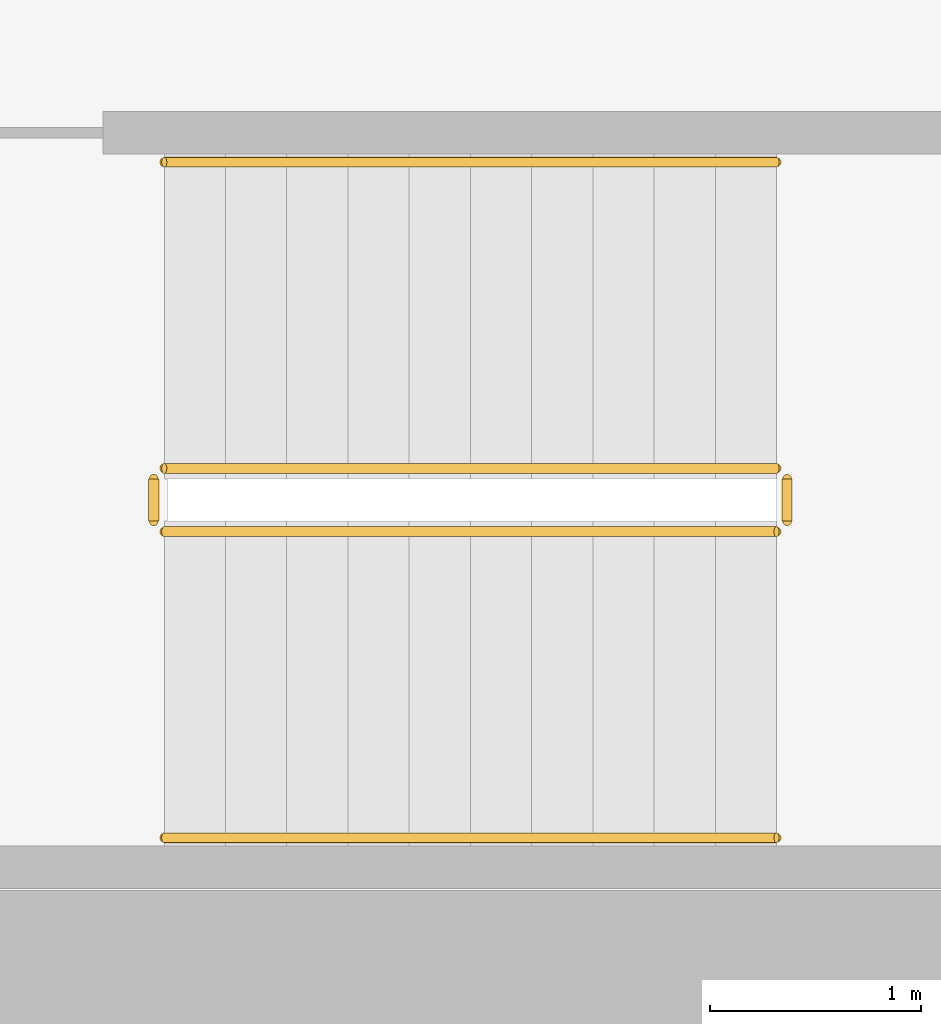
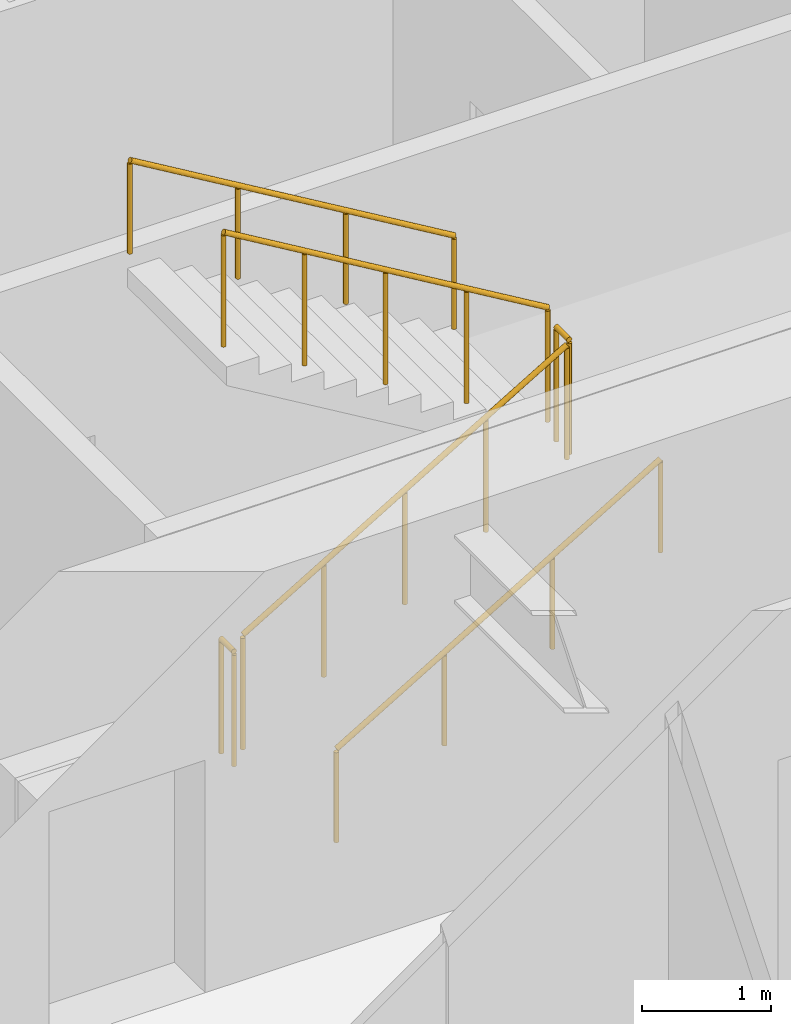
# One storey, part 19 of 20: 6 railings.
"""IFC4 building model written with IfcOpenShell, lengths in metres."""

from ifc_helpers import new_model, si_unit, direction, frame, origin, origin_2d, place, context, subcontext, project, spatial, circle, extrude, material, type_object, element, save


model = new_model("IFC4")

# Units and contexts
model_context = context("Model", 3, precision=1e-05, world=origin(), true_north=direction((0.0, 1.0)))
body_context = subcontext(model_context, "Body", "Model", "MODEL_VIEW")
ifc_project = project(units=[si_unit("LENGTHUNIT", "METRE"), si_unit("AREAUNIT", "SQUARE_METRE"), si_unit("VOLUMEUNIT", "CUBIC_METRE"), si_unit("PLANEANGLEUNIT", "RADIAN"), si_unit("MASSUNIT", "GRAM", prefix="KILO")], contexts=[model_context])

# Site, building, storey
site_placement = place(None, origin())
site = spatial("IfcSite", under=ifc_project, at=site_placement, CompositionType="ELEMENT")
building_placement = place(site_placement, origin())
building = spatial("IfcBuilding", under=site, at=building_placement, Name="Putna Gate Headquarters", CompositionType="ELEMENT")
storey_placement = place(building_placement, frame((0.0, 0.0, 62.0)))
storey = spatial("IfcBuildingStorey", under=building, at=storey_placement, Name="L14", CompositionType="ELEMENT", Elevation=62.0)

# Railings
ifc_material_1 = material(Name="Powder-coated steel stair guardrail", Category="steel")
railing_type_1 = type_object("IfcRailingType", Name="RAIL-STAIR-GUARD-1100", PredefinedType="GUARDRAIL", material=ifc_material_1)
railing_1_placement = place(storey_placement, frame((57.89990234375, 21.10009765625, 0.172607421875)))
element("IfcRailing", 1, at=railing_1_placement, inside=storey, type_object=railing_type_1, Name="L14 ST2 stair guard 1", PredefinedType="GUARDRAIL", context=body_context, shape_type="SweptSolid", body=[
    extrude(circle(Radius=0.02392578125, at=origin_2d()), frame((0.0, 0.0, 1.076171875), z_axis=(0.859160404282, 0.0, 0.51170636083), x_axis=(0.0, 1.0, 0.0)), (0.0, 0.0, 1.0), 3.37548828125),
    extrude(circle(Radius=0.02099609375, at=origin_2d()), origin(), (0.0, 0.0, 1.0), 1.052001953125),
    extrude(circle(Radius=0.02099609375, at=origin_2d()), frame((0.72509765625, 0.0, 0.431884765625)), (0.0, 0.0, 1.0), 1.052001953125),
    extrude(circle(Radius=0.02099609375, at=origin_2d()), frame((1.4501953125, 0.0, 0.86376953125)), (0.0, 0.0, 1.0), 1.052001953125),
    extrude(circle(Radius=0.02099609375, at=origin_2d()), frame((2.175048828125, 0.0, 1.29541015625)), (0.0, 0.0, 1.0), 1.052001953125),
    extrude(circle(Radius=0.02099609375, at=origin_2d()), frame((2.900146484375, 0.0, 1.727294921875)), (0.0, 0.0, 1.0), 1.052001953125),
])
railing_2_placement = place(storey_placement, frame((60.85009765625, 21.14990234375, 1.89990234375)))
element("IfcRailing", 2, at=railing_2_placement, inside=storey, type_object=railing_type_1, Name="L14 ST2 stair guard 2", PredefinedType="GUARDRAIL", context=body_context, shape_type="SweptSolid", body=[
    extrude(circle(Radius=0.02392578125, at=origin_2d()), frame((0.0, 0.0, 1.076171875), z_axis=(0.0, 1.0, 0.0), x_axis=(-1.0, 0.0, 0.0)), (0.0, 0.0, 1.0), 0.2001953125),
    extrude(circle(Radius=0.02099609375, at=origin_2d()), origin(), (0.0, 0.0, 1.0), 1.052001953125),
    extrude(circle(Radius=0.02099609375, at=origin_2d()), frame((0.0, 0.2001953125, 0.0)), (0.0, 0.0, 1.0), 1.052001953125),
])
railing_3_placement = place(storey_placement, frame((60.800048828125, 21.39990234375, 2.07275390625)))
element("IfcRailing", 3, at=railing_3_placement, inside=storey, type_object=railing_type_1, Name="L14 ST2 stair guard 3", PredefinedType="GUARDRAIL", context=body_context, shape_type="SweptSolid", body=[
    extrude(circle(Radius=0.02392578125, at=origin_2d()), frame((0.0, 0.0, 1.076171875), z_axis=(-0.859160404282, 0.0, 0.51170636083), x_axis=(0.0, -1.0, 0.0)), (0.0, 0.0, 1.0), 3.37548828125),
    extrude(circle(Radius=0.02099609375, at=origin_2d()), origin(), (0.0, 0.0, 1.0), 1.052001953125),
    extrude(circle(Radius=0.02099609375, at=origin_2d()), frame((-0.72509765625, 0.0, 0.431884765625)), (0.0, 0.0, 1.0), 1.052001953125),
    extrude(circle(Radius=0.02099609375, at=origin_2d()), frame((-1.4501953125, 0.0, 0.86376953125)), (0.0, 0.0, 1.0), 1.052001953125),
    extrude(circle(Radius=0.02099609375, at=origin_2d()), frame((-2.175048828125, 0.0, 1.29541015625)), (0.0, 0.0, 1.0), 1.052001953125),
    extrude(circle(Radius=0.02099609375, at=origin_2d()), frame((-2.900146484375, 0.0, 1.727294921875)), (0.0, 0.0, 1.0), 1.052001953125),
])
railing_4_placement = place(storey_placement, frame((57.85009765625, 21.14990234375, 0.0)))
element("IfcRailing", 4, at=railing_4_placement, inside=storey, type_object=railing_type_1, Name="L14 ST2 stair guard 4", PredefinedType="GUARDRAIL", context=body_context, shape_type="SweptSolid", body=[
    extrude(circle(Radius=0.02392578125, at=origin_2d()), frame((0.0, 0.0, 1.076171875), z_axis=(0.0, 1.0, 0.0), x_axis=(-1.0, 0.0, 0.0)), (0.0, 0.0, 1.0), 0.2001953125),
    extrude(circle(Radius=0.02099609375, at=origin_2d()), origin(), (0.0, 0.0, 1.0), 1.052001953125),
    extrude(circle(Radius=0.02099609375, at=origin_2d()), frame((0.0, 0.2001953125, 0.0)), (0.0, 0.0, 1.0), 1.052001953125),
])
ifc_material_2 = material(Name="Brushed stainless steel handrail", Category="steel")
railing_type_2 = type_object("IfcRailingType", Name="RAIL-STAIR-HAND-900", PredefinedType="HANDRAIL", material=ifc_material_2)
railing_5_placement = place(storey_placement, frame((57.89990234375, 19.64990234375, 0.172607421875)))
element("IfcRailing", 5, at=railing_5_placement, inside=storey, type_object=railing_type_2, Name="L14 ST2 stair handrail 1", PredefinedType="HANDRAIL", context=body_context, shape_type="SweptSolid", body=[
    extrude(circle(Radius=0.02392578125, at=origin_2d()), frame((0.0, 0.0, 0.8759765625), z_axis=(0.859160404282, 0.0, 0.51170636083), x_axis=(0.0, 1.0, 0.0)), (0.0, 0.0, 1.0), 3.37548828125),
    extrude(circle(Radius=0.02099609375, at=origin_2d()), origin(), (0.0, 0.0, 1.0), 0.851806640625),
    extrude(circle(Radius=0.02099609375, at=origin_2d()), frame((0.966796875, 0.0, 0.57568359375)), (0.0, 0.0, 1.0), 0.851806640625),
    extrude(circle(Radius=0.02099609375, at=origin_2d()), frame((1.933349609375, 0.0, 1.151611328125)), (0.0, 0.0, 1.0), 0.851806640625),
    extrude(circle(Radius=0.02099609375, at=origin_2d()), frame((2.900146484375, 0.0, 1.727294921875)), (0.0, 0.0, 1.0), 0.851806640625),
])
railing_6_placement = place(storey_placement, frame((60.800048828125, 22.85009765625, 2.07275390625)))
element("IfcRailing", 6, at=railing_6_placement, inside=storey, type_object=railing_type_2, Name="L14 ST2 stair handrail 2", PredefinedType="HANDRAIL", context=body_context, shape_type="SweptSolid", body=[
    extrude(circle(Radius=0.02392578125, at=origin_2d()), frame((0.0, 0.0, 0.8759765625), z_axis=(-0.859160404282, 0.0, 0.51170636083), x_axis=(0.0, -1.0, 0.0)), (0.0, 0.0, 1.0), 3.37548828125),
    extrude(circle(Radius=0.02099609375, at=origin_2d()), origin(), (0.0, 0.0, 1.0), 0.851806640625),
    extrude(circle(Radius=0.02099609375, at=origin_2d()), frame((-0.966796875, 0.0, 0.57568359375)), (0.0, 0.0, 1.0), 0.851806640625),
    extrude(circle(Radius=0.02099609375, at=origin_2d()), frame((-1.933349609375, 0.0, 1.151611328125)), (0.0, 0.0, 1.0), 0.851806640625),
    extrude(circle(Radius=0.02099609375, at=origin_2d()), frame((-2.900146484375, 0.0, 1.727294921875)), (0.0, 0.0, 1.0), 0.851806640625),
])

save(model, "model.ifc")
